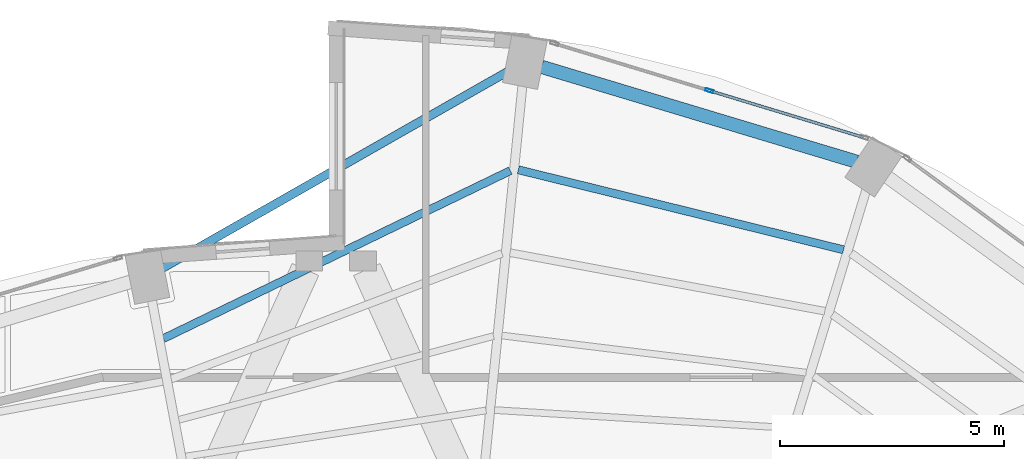
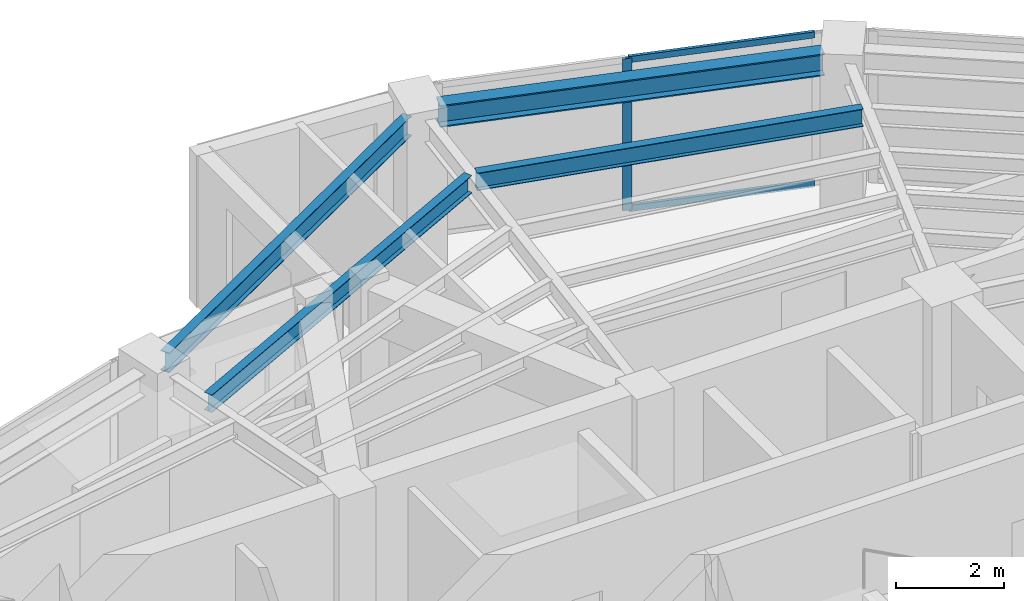
# One storey, part 16 of 23: 4 beams, 3 members, 1 element without a shape of its own.
"""IFC4 building model written with IfcOpenShell, lengths in metres."""

from ifc_helpers import new_model, si_unit, direction, frame, origin, origin_2d, place, context, subcontext, project, spatial, hollow_rectangle, i_section, extrude, material, layer, layer_set, material_profile, profile_set, type_object, element, aggregate, save


model = new_model("IFC4")

# Units and contexts
model_context = context("Model", 3, precision=1e-05, world=origin(), true_north=direction((0.0, 1.0)))
body_context = subcontext(model_context, "Body", "Model", "MODEL_VIEW")
ifc_project = project(units=[si_unit("LENGTHUNIT", "METRE"), si_unit("AREAUNIT", "SQUARE_METRE"), si_unit("VOLUMEUNIT", "CUBIC_METRE"), si_unit("PLANEANGLEUNIT", "RADIAN"), si_unit("MASSUNIT", "GRAM", prefix="KILO")], contexts=[model_context])

# Site, building, storey
site_placement = place(None, origin())
site = spatial("IfcSite", under=ifc_project, at=site_placement, CompositionType="ELEMENT")
building_placement = place(site_placement, origin())
building = spatial("IfcBuilding", under=site, at=building_placement, Name="Lazwardi Medical Tower", CompositionType="ELEMENT")
storey_placement = place(building_placement, frame((0.0, 0.0, 231.31201171875)))
storey = spatial("IfcBuildingStorey", under=building, at=storey_placement, Name="L60", CompositionType="ELEMENT", Elevation=231.31201171875)

# Beams
ifc_material_1 = material(Name="Steel S355", Category="steel")
ifc_material_profile_1 = material_profile(ifc_material_1, i_section(OverallWidth=0.300048828125, OverallDepth=0.5, WebThickness=0.014404296875, FlangeThickness=0.028076171875, at=origin_2d()), Name="HEB 500")
ifc_profile_set_1 = profile_set([ifc_material_profile_1], Name="Steel S355")
beam_type_1 = type_object("IfcBeamType", Name="BM-RB-Z4", PredefinedType="BEAM", material=ifc_profile_set_1)
beam_1_placement = place(storey_placement, frame((47.626953125, 43.56640625, 3.197998046875), z_axis=(-0.957544311906, 0.288286126506, 0.0), x_axis=(-0.288286126506, -0.957544311906, 0.0)))
element("IfcBeam", 1, at=beam_1_placement, inside=storey, type_object=beam_type_1, Name="Ring beam RB-05 B07 L60", PredefinedType="BEAM", context=body_context, shape_type="SweptSolid", body=[
    extrude(i_section(OverallWidth=0.300048828125, OverallDepth=0.5, WebThickness=0.014404296875, FlangeThickness=0.028076171875, at=origin_2d()), origin(), (0.0, 0.0, 1.0), 7.3515625),
])
ifc_material_profile_2 = material_profile(ifc_material_1, i_section(OverallWidth=0.179931640625, OverallDepth=0.39990234375, WebThickness=0.008544921875, FlangeThickness=0.013427734375, at=origin_2d()), Name="IPE 400")
ifc_profile_set_2 = profile_set([ifc_material_profile_2], Name="Steel S355")
beam_type_2 = type_object("IfcBeamType", Name="BM-SJ-01", PredefinedType="JOIST", material=ifc_profile_set_2)
beam_2_placement = place(storey_placement, frame((47.334228515625, 41.59912109375, 3.248046875), z_axis=(-0.971041669317, 0.238910184904, 0.0), x_axis=(-0.238910184904, -0.971041669317, 0.0)))
element("IfcBeam", 2, at=beam_2_placement, inside=storey, type_object=beam_type_2, Name="Secondary joist SJ-01 R1 B07 L60", PredefinedType="JOIST", context=body_context, shape_type="SweptSolid", body=[
    extrude(i_section(OverallWidth=0.179931640625, OverallDepth=0.39990234375, WebThickness=0.008544921875, FlangeThickness=0.013427734375, at=origin_2d()), origin(), (0.0, 0.0, 1.0), 7.482421875),
])
beam_3_placement = place(storey_placement, frame((39.89111328125, 43.367919921875, 3.248046875), z_axis=(-0.900068885459, -0.435747635024, 0.0), x_axis=(0.435747635024, -0.900068885459, 0.0)))
element("IfcBeam", 3, at=beam_3_placement, inside=storey, type_object=beam_type_2, Name="Secondary joist SJ-01 R1 B08 L60", PredefinedType="JOIST", context=body_context, shape_type="SweptSolid", body=[
    extrude(i_section(OverallWidth=0.179931640625, OverallDepth=0.39990234375, WebThickness=0.008544921875, FlangeThickness=0.013427734375, at=origin_2d()), origin(), (0.0, 0.0, 1.0), 8.612548828125),
])
ifc_material_profile_3 = material_profile(ifc_material_1, i_section(OverallWidth=0.18994140625, OverallDepth=0.449951171875, WebThickness=0.009521484375, FlangeThickness=0.0146484375, at=origin_2d()), Name="IPE 450")
ifc_profile_set_3 = profile_set([ifc_material_profile_3], Name="Steel S355")
beam_type_3 = type_object("IfcBeamType", Name="BM-SP-01", PredefinedType="SPANDREL", material=ifc_profile_set_3)
beam_4_placement = place(storey_placement, frame((39.875, 45.605224609375, 3.222900390625), z_axis=(-0.868954808466, -0.494891443494, 0.0), x_axis=(0.494891443494, -0.868954808466, 0.0)))
element("IfcBeam", 4, at=beam_4_placement, inside=storey, type_object=beam_type_3, Name="Spandrel beam SP-01 B08 L60", PredefinedType="SPANDREL", context=body_context, shape_type="SweptSolid", body=[
    extrude(i_section(OverallWidth=0.18994140625, OverallDepth=0.449951171875, WebThickness=0.009521484375, FlangeThickness=0.0146484375, at=origin_2d()), origin(), (0.0, 0.0, 1.0), 8.918701171875),
])

# Curtain wall, members
ifc_material_2 = material(Name="Anodised bronze aluminium and solar control glazing", Category="aluminium")
ifc_layer = layer(ifc_material_2, 0.18994140625)
ifc_layer_set = layer_set([ifc_layer], Name="Anodised bronze aluminium and solar control glazing")
curtain_wall_type = type_object("IfcCurtainWallType", Name="CW-SYS-04", PredefinedType="NOTDEFINED", material=ifc_layer_set)
curtain_wall_placement = place(storey_placement, origin())
curtain_wall = element("IfcCurtainWall", 5, at=curtain_wall_placement, inside=storey, type_object=curtain_wall_type, Name="L60 Unitised bronze curtain wall CW-04", PredefinedType="NOTDEFINED")
ifc_material_3 = material(Name="Anodised bronze aluminium", Category="aluminium")
ifc_material_profile_4 = material_profile(ifc_material_3, hollow_rectangle(XDim=0.06494140625, YDim=0.179931640625, WallThickness=0.00390625, at=origin_2d()), Name="ALU-MULLION 180x65x4")
ifc_profile_set_4 = profile_set([ifc_material_profile_4], Name="Anodised bronze aluminium")
member_type_1 = type_object("IfcMemberType", Name="CW-MUL-03", PredefinedType="MULLION", material=ifc_profile_set_4)
member_1_placement = place(storey_placement, frame((44.33642578125, 45.1552734375, 0.0), z_axis=(0.0, 0.0, 1.0), x_axis=(-0.290581889515, -0.956850126972, 0.0)))
member_1 = element("IfcMember", 6, at=member_1_placement, type_object=member_type_1, Name="CW-04 mullion 2", PredefinedType="MULLION", context=body_context, shape_type="SweptSolid", body=[
    extrude(hollow_rectangle(XDim=0.06494140625, YDim=0.179931640625, WallThickness=0.00390625, at=origin_2d()), origin(), (0.0, 0.0, 1.0), 3.447998046875),
])
ifc_material_profile_5 = material_profile(ifc_material_3, hollow_rectangle(XDim=0.06494140625, YDim=0.139892578125, WallThickness=0.00341796875, at=origin_2d()), Name="ALU-TRANSOM 140x65x3.5")
ifc_profile_set_5 = profile_set([ifc_material_profile_5], Name="Anodised bronze aluminium")
member_type_2 = type_object("IfcMemberType", Name="CW-TRN-03", PredefinedType="USERDEFINED", material=ifc_profile_set_5)
member_2_placement = place(storey_placement, frame((47.7685546875, 44.113037109375, 0.032470703125), z_axis=(-0.956862505902, 0.290541124109, 0.0), x_axis=(-0.290541124109, -0.956862505902, 0.0)))
member_2 = element("IfcMember", 7, at=member_2_placement, type_object=member_type_2, Name="CW-04 transom 1.1", ObjectType="TRANSOM", PredefinedType="USERDEFINED", context=body_context, shape_type="SweptSolid", body=[
    extrude(hollow_rectangle(XDim=0.06494140625, YDim=0.139892578125, WallThickness=0.00341796875, at=origin_2d()), origin(), (0.0, 0.0, 1.0), 3.554443359375),
])
member_3_placement = place(storey_placement, frame((47.7685546875, 44.113037109375, 3.41552734375), z_axis=(-0.956862505902, 0.290541124109, 0.0), x_axis=(-0.290541124109, -0.956862505902, 0.0)))
member_3 = element("IfcMember", 8, at=member_3_placement, type_object=member_type_2, Name="CW-04 transom 1.2", ObjectType="TRANSOM", PredefinedType="USERDEFINED", context=body_context, shape_type="SweptSolid", body=[
    extrude(hollow_rectangle(XDim=0.06494140625, YDim=0.139892578125, WallThickness=0.00341796875, at=origin_2d()), origin(), (0.0, 0.0, 1.0), 3.554443359375),
])
aggregate(curtain_wall, [member_1, member_2, member_3])

save(model, "model.ifc")
